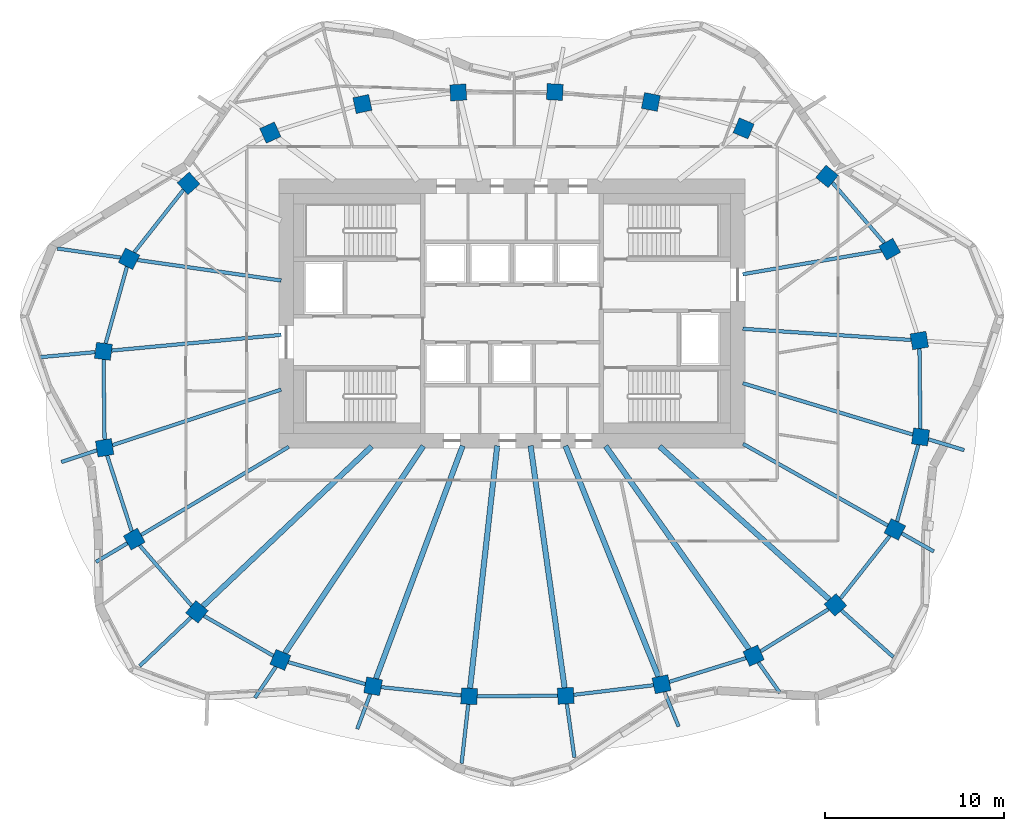
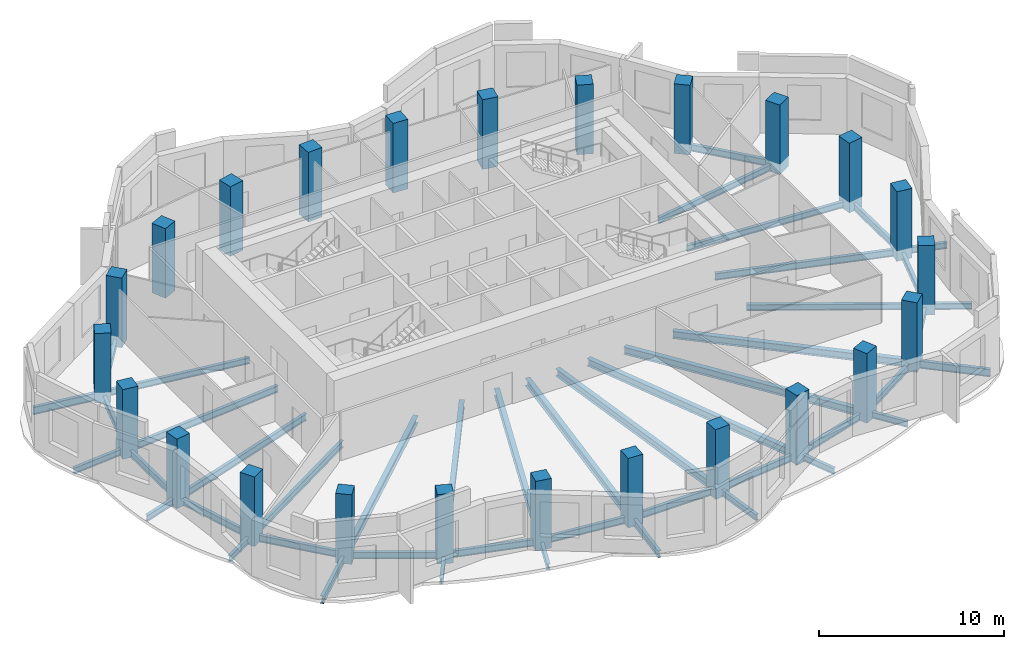
# One storey, part 1 of 9: 46 beams, 24 columns.
"""IFC4 building model written with IfcOpenShell, lengths in metres."""

from ifc_helpers import new_model, si_unit, direction, frame, origin, origin_2d, place, context, subcontext, project, spatial, rectangle, i_section, extrude, material, material_profile, profile_set, type_object, element, save


model = new_model("IFC4")

# Units and contexts
model_context = context("Model", 3, precision=1e-05, world=origin(), true_north=direction((0.0, 1.0)))
body_context = subcontext(model_context, "Body", "Model", "MODEL_VIEW")
ifc_project = project(units=[si_unit("LENGTHUNIT", "METRE"), si_unit("AREAUNIT", "SQUARE_METRE"), si_unit("VOLUMEUNIT", "CUBIC_METRE"), si_unit("PLANEANGLEUNIT", "RADIAN"), si_unit("MASSUNIT", "GRAM", prefix="KILO")], contexts=[model_context])

# Site, building, storey
site_placement = place(None, origin())
site = spatial("IfcSite", under=ifc_project, at=site_placement, CompositionType="ELEMENT")
building_placement = place(site_placement, origin())
building = spatial("IfcBuilding", under=site, at=building_placement, Name="Rubra Terraces Tower", CompositionType="ELEMENT")
storey_placement = place(building_placement, frame((0.0, 0.0, 268.800048828125)))
storey = spatial("IfcBuildingStorey", under=building, at=storey_placement, Name="L66", CompositionType="ELEMENT", Elevation=268.800048828125)

# Columns
ifc_material_1 = material(Name="Concrete C50", Category="concrete")
ifc_material_profile_1 = material_profile(ifc_material_1, rectangle(XDim=0.89990234375, YDim=0.89990234375, at=origin_2d()), Name="RC 900x900")
ifc_profile_set_1 = profile_set([ifc_material_profile_1], Name="Concrete C50")
column_type = type_object("IfcColumnType", Name="RING COLUMN RC 900x900 C50", PredefinedType="COLUMN", material=ifc_profile_set_1)
for number, where, z_axis, x_axis, name in (
    (1, (22.73388671875, 2.992919921875, -0.699951171875), (0.0, 0.0, 1.0), (-0.162062155721, 0.986780551938, 0.0), "column-L66-ring-01"),
    (2, (21.0810546875, 8.090087890625, -0.699951171875), (0.0, 0.0, 1.0), (-0.490161823029, 0.8716314515, 0.0), "column-L66-ring-02"),
    (3, (17.583984375, 12.15087890625, -0.699951171875), (0.0, 0.0, 1.0), (-0.770679191336, 0.637223339216, 0.0), "column-L66-ring-03"),
    (4, (12.927001953125, 14.83203125, -0.699951171875), (0.0, 0.0, 1.0), (-0.92110553102, 0.389312985558, 0.0), "column-L66-ring-04"),
    (5, (7.7509765625, 16.306884765625, -0.699951171875), (0.0, 0.0, 1.0), (-0.981936574306, 0.189210369799, 0.0), "column-L66-ring-05"),
    (6, (2.39208984375, 16.862060546875, -0.699951171875), (0.0, 0.0, 1.0), (-0.998791416829, 0.049149828786, 0.0), "column-L66-ring-06"),
    (7, (-2.9990234375, 16.8359375, -0.699951171875), (0.0, 0.0, 1.0), (-0.998059443319, -0.062268351524, 0.0), "column-L66-ring-07"),
    (8, (-8.346923828125, 16.19189453125, -0.699951171875), (0.0, 0.0, 1.0), (-0.977944102772, -0.208866780156, 0.0), "column-L66-ring-08"),
    (9, (-13.487060546875, 14.595947265625, -0.699951171875), (0.0, 0.0, 1.0), (-0.90972649622, -0.415208022652, 0.0), "column-L66-ring-09"),
    (10, (-18.051025390625, 11.762939453125, -0.699951171875), (0.0, 0.0, 1.0), (-0.7456420961, -0.66634665492, 0.0), "column-L66-ring-10"),
    (11, (-21.366943359375, 7.553955078125, -0.699951171875), (0.0, 0.0, 1.0), (-0.452078869866, -0.891977968013, 0.0), "column-L66-ring-11"),
    (12, (-22.802001953125, 2.388916015625, -0.699951171875), (0.0, 0.0, 1.0), (-0.128535191473, -0.991704948336, 0.0), "column-L66-ring-12"),
    (13, (-22.73388671875, -2.992919921875, -0.699951171875), (0.0, 0.0, 1.0), (0.162062155721, -0.986780551938, 0.0), "column-L66-ring-13"),
    (14, (-21.0810546875, -8.090087890625, -0.699951171875), (0.0, 0.0, 1.0), (0.490161823029, -0.8716314515, 0.0), "column-L66-ring-14"),
    (15, (-17.583984375, -12.15087890625, -0.699951171875), (0.0, 0.0, 1.0), (0.770679191336, -0.637223339216, 0.0), "column-L66-ring-15"),
    (16, (-12.927001953125, -14.83203125, -0.699951171875), (0.0, 0.0, 1.0), (0.92110553102, -0.389312985558, 0.0), "column-L66-ring-16"),
    (17, (-7.7509765625, -16.306884765625, -0.699951171875), (0.0, 0.0, 1.0), (0.981936574306, -0.189210369799, 0.0), "column-L66-ring-17"),
    (18, (-2.39208984375, -16.862060546875, -0.699951171875), (0.0, 0.0, 1.0), (0.998791416829, -0.049149828786, 0.0), "column-L66-ring-18"),
    (19, (2.9990234375, -16.8359375, -0.699951171875), (0.0, 0.0, 1.0), (0.998059443319, 0.062268351524, 0.0), "column-L66-ring-19"),
    (20, (8.346923828125, -16.19189453125, -0.699951171875), (0.0, 0.0, 1.0), (0.977944102772, 0.208866780156, 0.0), "column-L66-ring-20"),
    (21, (13.487060546875, -14.595947265625, -0.699951171875), (0.0, 0.0, 1.0), (0.90972649622, 0.415208022652, 0.0), "column-L66-ring-21"),
    (22, (18.051025390625, -11.762939453125, -0.699951171875), (0.0, 0.0, 1.0), (0.7456420961, 0.66634665492, 0.0), "column-L66-ring-22"),
    (23, (21.366943359375, -7.553955078125, -0.699951171875), (0.0, 0.0, 1.0), (0.452078869866, 0.891977968013, 0.0), "column-L66-ring-23"),
    (24, (22.802001953125, -2.388916015625, -0.699951171875), (0.0, 0.0, 1.0), (0.128535191473, 0.991704948336, 0.0), "column-L66-ring-24"),
):
    element("IfcColumn", number, at=place(storey_placement, frame(where, z_axis=z_axis, x_axis=x_axis)), inside=storey, type_object=column_type, Name=name, PredefinedType="COLUMN", context=body_context, shape_type="SweptSolid", body=[
        extrude(rectangle(XDim=0.89990234375, YDim=0.89990234375, at=origin_2d()), origin(), (0.0, 0.0, 1.0), 4.599853515625),
    ])

# Beams
ifc_material_2 = material(Name="Steel Q355B", Category="steel")
ifc_material_profile_2 = material_profile(ifc_material_2, i_section(OverallWidth=0.199951171875, OverallDepth=0.39990234375, WebThickness=0.008056640625, FlangeThickness=0.012939453125, at=origin_2d()), Name="HN 400x200x8x13")
ifc_profile_set_2 = profile_set([ifc_material_profile_2], Name="Steel Q355B")
beam_type_1 = type_object("IfcBeamType", Name="CANTILEVER BEAM HN 400x200x8x13", PredefinedType="BEAM", material=ifc_profile_set_2)
beam_1_placement = place(storey_placement, frame((-23.260986328125, 2.345947265625, -0.400146484375), z_axis=(-0.995757013505, -0.092021573864, 0.0), x_axis=(0.092021573864, -0.995757013505, 0.0)))
element("IfcBeam", 25, at=beam_1_placement, inside=storey, type_object=beam_type_1, Name="beam-L66-cant-12", PredefinedType="BEAM", context=body_context, shape_type="SweptSolid", body=[
    extrude(i_section(OverallWidth=0.199951171875, OverallDepth=0.39990234375, WebThickness=0.008056640625, FlangeThickness=0.012939453125, at=origin_2d()), origin(), (0.0, 0.0, 1.0), 3.09619140625),
])
beam_2_placement = place(storey_placement, frame((-23.1669921875, -3.135986328125, -0.400146484375), z_axis=(-0.949811542157, -0.312822688411, 0.0), x_axis=(0.312822688411, -0.949811542157, 0.0)))
element("IfcBeam", 26, at=beam_2_placement, inside=storey, type_object=beam_type_1, Name="beam-L66-cant-13", PredefinedType="BEAM", context=body_context, shape_type="SweptSolid", body=[
    extrude(i_section(OverallWidth=0.199951171875, OverallDepth=0.39990234375, WebThickness=0.008056640625, FlangeThickness=0.012939453125, at=origin_2d()), origin(), (0.0, 0.0, 1.0), 2.087646484375),
])
beam_3_placement = place(storey_placement, frame((-21.467041015625, -8.321044921875, -0.400146484375), z_axis=(-0.858590135561, -0.512662636747, 0.0), x_axis=(0.512662636747, -0.858590135561, 0.0)))
element("IfcBeam", 27, at=beam_3_placement, inside=storey, type_object=beam_type_1, Name="beam-L66-cant-14", PredefinedType="BEAM", context=body_context, shape_type="SweptSolid", body=[
    extrude(i_section(OverallWidth=0.199951171875, OverallDepth=0.39990234375, WebThickness=0.008056640625, FlangeThickness=0.012939453125, at=origin_2d()), origin(), (0.0, 0.0, 1.0), 2.038330078125),
])
beam_4_placement = place(storey_placement, frame((-13.181884765625, -15.212890625, -0.400146484375), z_axis=(-0.555615710267, -0.831439223578, 0.0), x_axis=(0.831439223578, -0.555615710267, 0.0)))
element("IfcBeam", 28, at=beam_4_placement, inside=storey, type_object=beam_type_1, Name="beam-L66-cant-16", PredefinedType="BEAM", context=body_context, shape_type="SweptSolid", body=[
    extrude(i_section(OverallWidth=0.199951171875, OverallDepth=0.39990234375, WebThickness=0.008056640625, FlangeThickness=0.012939453125, at=origin_2d()), origin(), (0.0, 0.0, 1.0), 2.091552734375),
])
beam_5_placement = place(storey_placement, frame((-7.909912109375, -16.735107421875, -0.400146484375), z_axis=(-0.349312725353, -0.93700620057, 0.0), x_axis=(0.93700620057, -0.349312725353, 0.0)))
element("IfcBeam", 29, at=beam_5_placement, inside=storey, type_object=beam_type_1, Name="beam-L66-cant-17", PredefinedType="BEAM", context=body_context, shape_type="SweptSolid", body=[
    extrude(i_section(OverallWidth=0.199951171875, OverallDepth=0.39990234375, WebThickness=0.008056640625, FlangeThickness=0.012939453125, at=origin_2d()), origin(), (0.0, 0.0, 1.0), 2.084228515625),
])
beam_6_placement = place(storey_placement, frame((3.06201171875, -17.282958984375, -0.400146484375), z_axis=(0.139077663132, -0.990281476964, 0.0), x_axis=(0.990281476964, 0.139077663132, 0.0)))
element("IfcBeam", 30, at=beam_6_placement, inside=storey, type_object=beam_type_1, Name="beam-L66-cant-19", PredefinedType="BEAM", context=body_context, shape_type="SweptSolid", body=[
    extrude(i_section(OverallWidth=0.199951171875, OverallDepth=0.39990234375, WebThickness=0.008056640625, FlangeThickness=0.012939453125, at=origin_2d()), origin(), (0.0, 0.0, 1.0), 3.019287109375),
])
beam_7_placement = place(storey_placement, frame((8.51806640625, -16.615966796875, -0.400146484375), z_axis=(0.374111105473, -0.927383890717, 0.0), x_axis=(0.927383890717, 0.374111105473, 0.0)))
element("IfcBeam", 31, at=beam_7_placement, inside=storey, type_object=beam_type_1, Name="beam-L66-cant-20", PredefinedType="BEAM", context=body_context, shape_type="SweptSolid", body=[
    extrude(i_section(OverallWidth=0.199951171875, OverallDepth=0.39990234375, WebThickness=0.008056640625, FlangeThickness=0.012939453125, at=origin_2d()), origin(), (0.0, 0.0, 1.0), 2.087646484375),
])
beam_8_placement = place(storey_placement, frame((13.7509765625, -14.969970703125, -0.400146484375), z_axis=(0.576994479227, -0.816748046182, 0.0), x_axis=(0.816748046182, 0.576994479227, 0.0)))
element("IfcBeam", 32, at=beam_8_placement, inside=storey, type_object=beam_type_1, Name="beam-L66-cant-21", PredefinedType="BEAM", context=body_context, shape_type="SweptSolid", body=[
    extrude(i_section(OverallWidth=0.199951171875, OverallDepth=0.39990234375, WebThickness=0.008056640625, FlangeThickness=0.012939453125, at=origin_2d()), origin(), (0.0, 0.0, 1.0), 2.093505859375),
])
beam_9_placement = place(storey_placement, frame((21.759033203125, -7.77490234375, -0.400146484375), z_axis=(0.870909107591, -0.491444123289, 0.0), x_axis=(0.491444123289, 0.870909107591, 0.0)))
element("IfcBeam", 33, at=beam_9_placement, inside=storey, type_object=beam_type_1, Name="beam-L66-cant-23", PredefinedType="BEAM", context=body_context, shape_type="SweptSolid", body=[
    extrude(i_section(OverallWidth=0.199951171875, OverallDepth=0.39990234375, WebThickness=0.008056640625, FlangeThickness=0.012939453125, at=origin_2d()), origin(), (0.0, 0.0, 1.0), 2.047119140625),
])
beam_10_placement = place(storey_placement, frame((23.239013671875, -2.52099609375, -0.400146484375), z_axis=(0.957270239092, -0.289194898552, 0.0), x_axis=(0.289194898552, 0.957270239092, 0.0)))
element("IfcBeam", 34, at=beam_10_placement, inside=storey, type_object=beam_type_1, Name="beam-L66-cant-24", PredefinedType="BEAM", context=body_context, shape_type="SweptSolid", body=[
    extrude(i_section(OverallWidth=0.199951171875, OverallDepth=0.39990234375, WebThickness=0.008056640625, FlangeThickness=0.012939453125, at=origin_2d()), origin(), (0.0, 0.0, 1.0), 2.085205078125),
])
ifc_material_profile_3 = material_profile(ifc_material_2, i_section(OverallWidth=0.198974609375, OverallDepth=0.446044921875, WebThickness=0.008056640625, FlangeThickness=0.011962890625, at=origin_2d()), Name="HN 446x199x8x12")
ifc_profile_set_3 = profile_set([ifc_material_profile_3], Name="Steel Q355B")
beam_type_2 = type_object("IfcBeamType", Name="CANTILEVER BEAM HN 446x199x8x12", PredefinedType="BEAM", material=ifc_profile_set_3)
beam_11_placement = place(storey_placement, frame((-2.44189453125, -17.31005859375, -0.423095703125), z_axis=(-0.111304076447, -0.993786396851, 0.0), x_axis=(0.993786396851, -0.111304076447, 0.0)))
element("IfcBeam", 35, at=beam_11_placement, inside=storey, type_object=beam_type_2, Name="beam-L66-cant-18", PredefinedType="BEAM", context=body_context, shape_type="SweptSolid", body=[
    extrude(i_section(OverallWidth=0.198974609375, OverallDepth=0.446044921875, WebThickness=0.008056640625, FlangeThickness=0.011962890625, at=origin_2d()), origin(), (0.0, 0.0, 1.0), 3.31640625),
])
ifc_material_profile_4 = material_profile(ifc_material_2, i_section(OverallWidth=0.198974609375, OverallDepth=0.49609375, WebThickness=0.009033203125, FlangeThickness=0.013916015625, at=origin_2d()), Name="HN 496x199x9x14")
ifc_profile_set_4 = profile_set([ifc_material_profile_4], Name="Steel Q355B")
beam_type_3 = type_object("IfcBeamType", Name="CANTILEVER BEAM HN 496x199x9x14", PredefinedType="BEAM", material=ifc_profile_set_4)
beam_12_placement = place(storey_placement, frame((-21.8369140625, 7.62109375, -0.447998046875), z_axis=(-0.989944020593, 0.141459662423, 0.0), x_axis=(-0.141459662423, -0.989944020593, 0.0)))
element("IfcBeam", 36, at=beam_12_placement, inside=storey, type_object=beam_type_3, Name="beam-L66-cant-11", PredefinedType="BEAM", context=body_context, shape_type="SweptSolid", body=[
    extrude(i_section(OverallWidth=0.198974609375, OverallDepth=0.49609375, WebThickness=0.009033203125, FlangeThickness=0.013916015625, at=origin_2d()), origin(), (0.0, 0.0, 1.0), 3.569091796875),
])
beam_13_placement = place(storey_placement, frame((-17.9130859375, -12.462890625, -0.447998046875), z_axis=(-0.726067989976, -0.687622915509, 0.0), x_axis=(0.687622915509, -0.726067989976, 0.0)))
element("IfcBeam", 37, at=beam_13_placement, inside=storey, type_object=beam_type_3, Name="beam-L66-cant-15", PredefinedType="BEAM", context=body_context, shape_type="SweptSolid", body=[
    extrude(i_section(OverallWidth=0.198974609375, OverallDepth=0.49609375, WebThickness=0.009033203125, FlangeThickness=0.013916015625, at=origin_2d()), origin(), (0.0, 0.0, 1.0), 3.949951171875),
])
beam_14_placement = place(storey_placement, frame((18.386962890625, -12.06591796875, -0.447998046875), z_axis=(0.743069836047, -0.669213881175, 0.0), x_axis=(0.669213881175, 0.743069836047, 0.0)))
element("IfcBeam", 38, at=beam_14_placement, inside=storey, type_object=beam_type_3, Name="beam-L66-cant-22", PredefinedType="BEAM", context=body_context, shape_type="SweptSolid", body=[
    extrude(i_section(OverallWidth=0.198974609375, OverallDepth=0.49609375, WebThickness=0.009033203125, FlangeThickness=0.013916015625, at=origin_2d()), origin(), (0.0, 0.0, 1.0), 3.8974609375),
])
ifc_material_profile_5 = material_profile(ifc_material_2, i_section(OverallWidth=0.300048828125, OverallDepth=0.48193359375, WebThickness=0.010986328125, FlangeThickness=0.014892578125, at=origin_2d()), Name="HM 482x300x11x15")
ifc_profile_set_5 = profile_set([ifc_material_profile_5], Name="Steel Q355B")
beam_type_4 = type_object("IfcBeamType", Name="FLOOR BEAM HM 482x300x11x15", PredefinedType="BEAM", material=ifc_profile_set_5)
beam_15_placement = place(storey_placement, frame((-17.2548828125, -11.839111328125, -0.441162109375), z_axis=(0.726101482513, 0.687587548674, 0.0), x_axis=(-0.687587548674, 0.726101482513, 0.0)))
element("IfcBeam", 39, at=beam_15_placement, inside=storey, type_object=beam_type_4, Name="beam-L66-floor-15", PredefinedType="BEAM", context=body_context, shape_type="SweptSolid", body=[
    extrude(i_section(OverallWidth=0.300048828125, OverallDepth=0.48193359375, WebThickness=0.010986328125, FlangeThickness=0.014892578125, at=origin_2d()), origin(), (0.0, 0.0, 1.0), 12.97607421875),
])
beam_16_placement = place(storey_placement, frame((-12.672119140625, -14.450927734375, -0.441162109375), z_axis=(0.55586735335, 0.831271006038, 0.0), x_axis=(-0.831271006038, 0.55586735335, 0.0)))
element("IfcBeam", 40, at=beam_16_placement, inside=storey, type_object=beam_type_4, Name="beam-L66-floor-16", PredefinedType="BEAM", context=body_context, shape_type="SweptSolid", body=[
    extrude(i_section(OverallWidth=0.300048828125, OverallDepth=0.48193359375, WebThickness=0.010986328125, FlangeThickness=0.014892578125, at=origin_2d()), origin(), (0.0, 0.0, 1.0), 13.8955078125),
])
beam_17_placement = place(storey_placement, frame((-7.592041015625, -15.87890625, -0.441162109375), z_axis=(0.349129035616, 0.937074658973, 0.0), x_axis=(-0.937074658973, 0.349129035616, 0.0)))
element("IfcBeam", 41, at=beam_17_placement, inside=storey, type_object=beam_type_4, Name="beam-L66-floor-17", PredefinedType="BEAM", context=body_context, shape_type="SweptSolid", body=[
    extrude(i_section(OverallWidth=0.300048828125, OverallDepth=0.48193359375, WebThickness=0.010986328125, FlangeThickness=0.014892578125, at=origin_2d()), origin(), (0.0, 0.0, 1.0), 13.86328125),
])
beam_18_placement = place(storey_placement, frame((-2.342041015625, -16.4140625, -0.441162109375), z_axis=(0.111334672678, 0.993782969596, 0.0), x_axis=(-0.993782969596, 0.111334672678, 0.0)))
element("IfcBeam", 42, at=beam_18_placement, inside=storey, type_object=beam_type_4, Name="beam-L66-floor-18", PredefinedType="BEAM", context=body_context, shape_type="SweptSolid", body=[
    extrude(i_section(OverallWidth=0.300048828125, OverallDepth=0.48193359375, WebThickness=0.010986328125, FlangeThickness=0.014892578125, at=origin_2d()), origin(), (0.0, 0.0, 1.0), 13.61767578125),
])
beam_19_placement = place(storey_placement, frame((2.93603515625, -16.388916015625, -0.441162109375), z_axis=(-0.139140748081, 0.990272615103, 0.0), x_axis=(-0.990272615103, -0.139140748081, 0.0)))
element("IfcBeam", 43, at=beam_19_placement, inside=storey, type_object=beam_type_4, Name="beam-L66-floor-19", PredefinedType="BEAM", context=body_context, shape_type="SweptSolid", body=[
    extrude(i_section(OverallWidth=0.300048828125, OverallDepth=0.48193359375, WebThickness=0.010986328125, FlangeThickness=0.014892578125, at=origin_2d()), origin(), (0.0, 0.0, 1.0), 13.640380859375),
])
beam_20_placement = place(storey_placement, frame((8.176025390625, -15.76806640625, -0.441162109375), z_axis=(-0.374083693877, 0.927394948215, 0.0), x_axis=(-0.927394948215, -0.374083693877, 0.0)))
element("IfcBeam", 44, at=beam_20_placement, inside=storey, type_object=beam_type_4, Name="beam-L66-floor-20", PredefinedType="BEAM", context=body_context, shape_type="SweptSolid", body=[
    extrude(i_section(OverallWidth=0.300048828125, OverallDepth=0.48193359375, WebThickness=0.010986328125, FlangeThickness=0.014892578125, at=origin_2d()), origin(), (0.0, 0.0, 1.0), 13.887451171875),
])
beam_21_placement = place(storey_placement, frame((13.222900390625, -14.221923828125, -0.441162109375), z_axis=(-0.576895514811, 0.816817950948, 0.0), x_axis=(-0.816817950948, -0.576895514811, 0.0)))
element("IfcBeam", 45, at=beam_21_placement, inside=storey, type_object=beam_type_4, Name="beam-L66-floor-21", PredefinedType="BEAM", context=body_context, shape_type="SweptSolid", body=[
    extrude(i_section(OverallWidth=0.300048828125, OverallDepth=0.48193359375, WebThickness=0.010986328125, FlangeThickness=0.014892578125, at=origin_2d()), origin(), (0.0, 0.0, 1.0), 13.8583984375),
])
beam_22_placement = place(storey_placement, frame((17.715087890625, -11.4599609375, -0.441162109375), z_axis=(-0.742980094736, 0.669313513105, 0.0), x_axis=(-0.669313513105, -0.742980094736, 0.0)))
element("IfcBeam", 46, at=beam_22_placement, inside=storey, type_object=beam_type_4, Name="beam-L66-floor-22", PredefinedType="BEAM", context=body_context, shape_type="SweptSolid", body=[
    extrude(i_section(OverallWidth=0.300048828125, OverallDepth=0.48193359375, WebThickness=0.010986328125, FlangeThickness=0.014892578125, at=origin_2d()), origin(), (0.0, 0.0, 1.0), 12.759521484375),
])
ifc_material_profile_6 = material_profile(ifc_material_2, i_section(OverallWidth=0.199951171875, OverallDepth=0.39990234375, WebThickness=0.008056640625, FlangeThickness=0.012939453125, at=origin_2d()), Name="HN 400x200x8x13")
ifc_profile_set_6 = profile_set([ifc_material_profile_6], Name="Steel Q355B")
beam_type_5 = type_object("IfcBeamType", Name="FLOOR BEAM HN 400x200x8x13", PredefinedType="BEAM", material=ifc_profile_set_6)
beam_23_placement = place(storey_placement, frame((22.27294921875, 3.02392578125, -0.400146484375), z_axis=(-0.997814209988, 0.066081785285, 0.0), x_axis=(-0.066081785285, -0.997814209988, 0.0)))
element("IfcBeam", 47, at=beam_23_placement, inside=storey, type_object=beam_type_5, Name="beam-L66-floor-01", PredefinedType="BEAM", context=body_context, shape_type="SweptSolid", body=[
    extrude(i_section(OverallWidth=0.199951171875, OverallDepth=0.39990234375, WebThickness=0.008056640625, FlangeThickness=0.012939453125, at=origin_2d()), origin(), (0.0, 0.0, 1.0), 9.41357421875),
])
beam_24_placement = place(storey_placement, frame((20.610107421875, 8.010009765625, -0.400146484375), z_axis=(-0.985810425856, -0.167862456415, 0.0), x_axis=(0.167862456415, -0.985810425856, 0.0)))
element("IfcBeam", 48, at=beam_24_placement, inside=storey, type_object=beam_type_5, Name="beam-L66-floor-02", PredefinedType="BEAM", context=body_context, shape_type="SweptSolid", body=[
    extrude(i_section(OverallWidth=0.199951171875, OverallDepth=0.39990234375, WebThickness=0.008056640625, FlangeThickness=0.012939453125, at=origin_2d()), origin(), (0.0, 0.0, 1.0), 7.83935546875),
])
beam_25_placement = place(storey_placement, frame((-20.89697265625, 7.487060546875, -0.400146484375), z_axis=(0.98993441274, -0.141526882509, 0.0), x_axis=(0.141526882509, 0.98993441274, 0.0)))
element("IfcBeam", 49, at=beam_25_placement, inside=storey, type_object=beam_type_5, Name="beam-L66-floor-11", PredefinedType="BEAM", context=body_context, shape_type="SweptSolid", body=[
    extrude(i_section(OverallWidth=0.199951171875, OverallDepth=0.39990234375, WebThickness=0.008056640625, FlangeThickness=0.012939453125, at=origin_2d()), origin(), (0.0, 0.0, 1.0), 8.097412109375),
])
beam_26_placement = place(storey_placement, frame((20.97509765625, -7.3330078125, -0.400146484375), z_axis=(-0.870973270007, 0.491330400986, 0.0), x_axis=(-0.491330400986, -0.870973270007, 0.0)))
element("IfcBeam", 50, at=beam_26_placement, inside=storey, type_object=beam_type_5, Name="beam-L66-floor-23", PredefinedType="BEAM", context=body_context, shape_type="SweptSolid", body=[
    extrude(i_section(OverallWidth=0.199951171875, OverallDepth=0.39990234375, WebThickness=0.008056640625, FlangeThickness=0.012939453125, at=origin_2d()), origin(), (0.0, 0.0, 1.0), 9.277099609375),
])
ifc_material_profile_7 = material_profile(ifc_material_2, i_section(OverallWidth=0.198974609375, OverallDepth=0.446044921875, WebThickness=0.008056640625, FlangeThickness=0.011962890625, at=origin_2d()), Name="HN 446x199x8x12")
ifc_profile_set_7 = profile_set([ifc_material_profile_7], Name="Steel Q355B")
beam_type_6 = type_object("IfcBeamType", Name="FLOOR BEAM HN 446x199x8x12", PredefinedType="BEAM", material=ifc_profile_set_7)
beam_27_placement = place(storey_placement, frame((-22.343017578125, 2.431884765625, -0.423095703125), z_axis=(0.995739538303, 0.092210475874, 0.0), x_axis=(-0.092210475874, 0.995739538303, 0.0)))
element("IfcBeam", 51, at=beam_27_placement, inside=storey, type_object=beam_type_6, Name="beam-L66-floor-12", PredefinedType="BEAM", context=body_context, shape_type="SweptSolid", body=[
    extrude(i_section(OverallWidth=0.198974609375, OverallDepth=0.446044921875, WebThickness=0.008056640625, FlangeThickness=0.011962890625, at=origin_2d()), origin(), (0.0, 0.0, 1.0), 9.50244140625),
])
beam_28_placement = place(storey_placement, frame((-22.301025390625, -2.85009765625, -0.423095703125), z_axis=(0.949746725795, 0.313019419273, 0.0), x_axis=(-0.313019419273, 0.949746725795, 0.0)))
element("IfcBeam", 52, at=beam_28_placement, inside=storey, type_object=beam_type_6, Name="beam-L66-floor-13", PredefinedType="BEAM", context=body_context, shape_type="SweptSolid", body=[
    extrude(i_section(OverallWidth=0.198974609375, OverallDepth=0.446044921875, WebThickness=0.008056640625, FlangeThickness=0.011962890625, at=origin_2d()), origin(), (0.0, 0.0, 1.0), 9.913330078125),
])
beam_29_placement = place(storey_placement, frame((-20.695068359375, -7.85888671875, -0.423095703125), z_axis=(0.858552756119, 0.512725233396, 0.0), x_axis=(-0.512725233396, 0.858552756119, 0.0)))
element("IfcBeam", 53, at=beam_29_placement, inside=storey, type_object=beam_type_6, Name="beam-L66-floor-14", PredefinedType="BEAM", context=body_context, shape_type="SweptSolid", body=[
    extrude(i_section(OverallWidth=0.198974609375, OverallDepth=0.446044921875, WebThickness=0.008056640625, FlangeThickness=0.011962890625, at=origin_2d()), origin(), (0.0, 0.0, 1.0), 9.59765625),
])
beam_30_placement = place(storey_placement, frame((22.364990234375, -2.257080078125, -0.423095703125), z_axis=(-0.957268105474, 0.289201960992, 0.0), x_axis=(-0.289201960992, -0.957268105474, 0.0)))
element("IfcBeam", 54, at=beam_30_placement, inside=storey, type_object=beam_type_6, Name="beam-L66-floor-24", PredefinedType="BEAM", context=body_context, shape_type="SweptSolid", body=[
    extrude(i_section(OverallWidth=0.198974609375, OverallDepth=0.446044921875, WebThickness=0.008056640625, FlangeThickness=0.011962890625, at=origin_2d()), origin(), (0.0, 0.0, 1.0), 9.903076171875),
])
ifc_material_profile_8 = material_profile(ifc_material_2, i_section(OverallWidth=0.198974609375, OverallDepth=0.446044921875, WebThickness=0.008056640625, FlangeThickness=0.011962890625, at=origin_2d()), Name="HN 446x199x8x12")
ifc_profile_set_8 = profile_set([ifc_material_profile_8], Name="Steel Q355B")
beam_type_7 = type_object("IfcBeamType", Name="SPANDREL BEAM HN 446x199x8x12", PredefinedType="SPANDREL", material=ifc_profile_set_8)
beam_31_placement = place(storey_placement, frame((20.781005859375, 8.43798828125, -0.423095703125), z_axis=(-0.652473175209, 0.757811820726, 0.0), x_axis=(-0.757811820726, -0.652473175209, 0.0)))
element("IfcBeam", 55, at=beam_31_placement, inside=storey, type_object=beam_type_7, Name="beam-L66-spandrel-02", PredefinedType="SPANDREL", context=body_context, shape_type="SweptSolid", body=[
    extrude(i_section(OverallWidth=0.198974609375, OverallDepth=0.446044921875, WebThickness=0.008056640625, FlangeThickness=0.011962890625, at=origin_2d()), origin(), (0.0, 0.0, 1.0), 4.44287109375),
])
beam_32_placement = place(storey_placement, frame((-18.333984375, 11.404052734375, -0.423095703125), z_axis=(-0.61888661349, -0.785480336891, 0.0), x_axis=(0.785480336891, -0.61888661349, 0.0)))
element("IfcBeam", 56, at=beam_32_placement, inside=storey, type_object=beam_type_7, Name="beam-L66-spandrel-10", PredefinedType="SPANDREL", context=body_context, shape_type="SweptSolid", body=[
    extrude(i_section(OverallWidth=0.198974609375, OverallDepth=0.446044921875, WebThickness=0.008056640625, FlangeThickness=0.011962890625, at=origin_2d()), origin(), (0.0, 0.0, 1.0), 4.44189453125),
])
beam_33_placement = place(storey_placement, frame((-21.489990234375, 7.112060546875, -0.423095703125), z_axis=(-0.267564585696, -0.963539927809, 0.0), x_axis=(0.963539927809, -0.267564585696, 0.0)))
element("IfcBeam", 57, at=beam_33_placement, inside=storey, type_object=beam_type_7, Name="beam-L66-spandrel-11", PredefinedType="SPANDREL", context=body_context, shape_type="SweptSolid", body=[
    extrude(i_section(OverallWidth=0.198974609375, OverallDepth=0.446044921875, WebThickness=0.008056640625, FlangeThickness=0.011962890625, at=origin_2d()), origin(), (0.0, 0.0, 1.0), 4.447265625),
])
beam_34_placement = place(storey_placement, frame((-22.7958984375, 1.93408203125, -0.423095703125), z_axis=(0.01250038801, -0.999921867097, 0.0), x_axis=(0.999921867097, 0.01250038801, 0.0)))
element("IfcBeam", 58, at=beam_34_placement, inside=storey, type_object=beam_type_7, Name="beam-L66-spandrel-12", PredefinedType="SPANDREL", context=body_context, shape_type="SweptSolid", body=[
    extrude(i_section(OverallWidth=0.198974609375, OverallDepth=0.446044921875, WebThickness=0.008056640625, FlangeThickness=0.011962890625, at=origin_2d()), origin(), (0.0, 0.0, 1.0), 4.472412109375),
])
beam_35_placement = place(storey_placement, frame((-22.593994140625, -3.426025390625, -0.423095703125), z_axis=(0.308536942246, -0.951212360764, 0.0), x_axis=(0.951212360764, 0.308536942246, 0.0)))
element("IfcBeam", 59, at=beam_35_placement, inside=storey, type_object=beam_type_7, Name="beam-L66-spandrel-13", PredefinedType="SPANDREL", context=body_context, shape_type="SweptSolid", body=[
    extrude(i_section(OverallWidth=0.198974609375, OverallDepth=0.446044921875, WebThickness=0.008056640625, FlangeThickness=0.011962890625, at=origin_2d()), origin(), (0.0, 0.0, 1.0), 4.44384765625),
])
beam_36_placement = place(storey_placement, frame((-20.781005859375, -8.43798828125, -0.423095703125), z_axis=(0.652473175209, -0.757811820726, 0.0), x_axis=(0.757811820726, 0.652473175209, 0.0)))
element("IfcBeam", 60, at=beam_36_placement, inside=storey, type_object=beam_type_7, Name="beam-L66-spandrel-14", PredefinedType="SPANDREL", context=body_context, shape_type="SweptSolid", body=[
    extrude(i_section(OverallWidth=0.198974609375, OverallDepth=0.446044921875, WebThickness=0.008056640625, FlangeThickness=0.011962890625, at=origin_2d()), origin(), (0.0, 0.0, 1.0), 4.44287109375),
])
beam_37_placement = place(storey_placement, frame((-17.18798828125, -12.37890625, -0.423095703125), z_axis=(0.866616005945, -0.498975648945, 0.0), x_axis=(0.498975648945, 0.866616005945, 0.0)))
element("IfcBeam", 61, at=beam_37_placement, inside=storey, type_object=beam_type_7, Name="beam-L66-spandrel-15", PredefinedType="SPANDREL", context=body_context, shape_type="SweptSolid", body=[
    extrude(i_section(OverallWidth=0.198974609375, OverallDepth=0.446044921875, WebThickness=0.008056640625, FlangeThickness=0.011962890625, at=origin_2d()), origin(), (0.0, 0.0, 1.0), 4.463134765625),
])
beam_38_placement = place(storey_placement, frame((-12.490966796875, -14.9560546875, -0.423095703125), z_axis=(0.961713024643, -0.27405849418, 0.0), x_axis=(0.27405849418, 0.961713024643, 0.0)))
element("IfcBeam", 62, at=beam_38_placement, inside=storey, type_object=beam_type_7, Name="beam-L66-spandrel-16", PredefinedType="SPANDREL", context=body_context, shape_type="SweptSolid", body=[
    extrude(i_section(OverallWidth=0.198974609375, OverallDepth=0.446044921875, WebThickness=0.008056640625, FlangeThickness=0.011962890625, at=origin_2d()), origin(), (0.0, 0.0, 1.0), 4.477294921875),
])
beam_39_placement = place(storey_placement, frame((-7.302001953125, -16.35400390625, -0.423095703125), z_axis=(0.994684107425, -0.102973425873, 0.0), x_axis=(0.102973425873, 0.994684107425, 0.0)))
element("IfcBeam", 63, at=beam_39_placement, inside=storey, type_object=beam_type_7, Name="beam-L66-spandrel-17", PredefinedType="SPANDREL", context=body_context, shape_type="SweptSolid", body=[
    extrude(i_section(OverallWidth=0.198974609375, OverallDepth=0.446044921875, WebThickness=0.008056640625, FlangeThickness=0.011962890625, at=origin_2d()), origin(), (0.0, 0.0, 1.0), 4.48583984375),
])
beam_40_placement = place(storey_placement, frame((-1.94091796875, -16.860107421875, -0.423095703125), z_axis=(0.999987753188, 0.004949088244, 0.0), x_axis=(-0.004949088244, 0.999987753188, 0.0)))
element("IfcBeam", 64, at=beam_40_placement, inside=storey, type_object=beam_type_7, Name="beam-L66-spandrel-18", PredefinedType="SPANDREL", context=body_context, shape_type="SweptSolid", body=[
    extrude(i_section(OverallWidth=0.198974609375, OverallDepth=0.446044921875, WebThickness=0.008056640625, FlangeThickness=0.011962890625, at=origin_2d()), origin(), (0.0, 0.0, 1.0), 4.489013671875),
])
beam_41_placement = place(storey_placement, frame((3.447021484375, -16.781982421875, -0.423095703125), z_axis=(0.992829862118, 0.119536040116, 0.0), x_axis=(-0.119536040116, 0.992829862118, 0.0)))
element("IfcBeam", 65, at=beam_41_placement, inside=storey, type_object=beam_type_7, Name="beam-L66-spandrel-19", PredefinedType="SPANDREL", context=body_context, shape_type="SweptSolid", body=[
    extrude(i_section(OverallWidth=0.198974609375, OverallDepth=0.446044921875, WebThickness=0.008056640625, FlangeThickness=0.011962890625, at=origin_2d()), origin(), (0.0, 0.0, 1.0), 4.483154296875),
])
beam_42_placement = place(storey_placement, frame((8.779052734375, -16.05810546875, -0.423095703125), z_axis=(0.955035382264, 0.296491852541, 0.0), x_axis=(-0.296491852541, 0.955035382264, 0.0)))
element("IfcBeam", 66, at=beam_42_placement, inside=storey, type_object=beam_type_7, Name="beam-L66-spandrel-20", PredefinedType="SPANDREL", context=body_context, shape_type="SweptSolid", body=[
    extrude(i_section(OverallWidth=0.198974609375, OverallDepth=0.446044921875, WebThickness=0.008056640625, FlangeThickness=0.011962890625, at=origin_2d()), origin(), (0.0, 0.0, 1.0), 4.47607421875),
])
beam_43_placement = place(storey_placement, frame((13.8720703125, -14.35693359375, -0.423095703125), z_axis=(0.849641857012, 0.527360137679, 0.0), x_axis=(-0.527360137679, 0.849641857012, 0.0)))
element("IfcBeam", 67, at=beam_43_placement, inside=storey, type_object=beam_type_7, Name="beam-L66-spandrel-21", PredefinedType="SPANDREL", context=body_context, shape_type="SweptSolid", body=[
    extrude(i_section(OverallWidth=0.198974609375, OverallDepth=0.446044921875, WebThickness=0.008056640625, FlangeThickness=0.011962890625, at=origin_2d()), origin(), (0.0, 0.0, 1.0), 4.4619140625),
])
beam_44_placement = place(storey_placement, frame((18.333984375, -11.404052734375, -0.423095703125), z_axis=(0.61888661349, 0.785480336891, 0.0), x_axis=(-0.785480336891, 0.61888661349, 0.0)))
element("IfcBeam", 68, at=beam_44_placement, inside=storey, type_object=beam_type_7, Name="beam-L66-spandrel-22", PredefinedType="SPANDREL", context=body_context, shape_type="SweptSolid", body=[
    extrude(i_section(OverallWidth=0.198974609375, OverallDepth=0.446044921875, WebThickness=0.008056640625, FlangeThickness=0.011962890625, at=origin_2d()), origin(), (0.0, 0.0, 1.0), 4.44189453125),
])
beam_45_placement = place(storey_placement, frame((21.489990234375, -7.112060546875, -0.423095703125), z_axis=(0.267564585696, 0.963539927809, 0.0), x_axis=(-0.963539927809, 0.267564585696, 0.0)))
element("IfcBeam", 69, at=beam_45_placement, inside=storey, type_object=beam_type_7, Name="beam-L66-spandrel-23", PredefinedType="SPANDREL", context=body_context, shape_type="SweptSolid", body=[
    extrude(i_section(OverallWidth=0.198974609375, OverallDepth=0.446044921875, WebThickness=0.008056640625, FlangeThickness=0.011962890625, at=origin_2d()), origin(), (0.0, 0.0, 1.0), 4.447265625),
])
beam_46_placement = place(storey_placement, frame((22.7958984375, -1.93408203125, -0.423095703125), z_axis=(-0.01250038801, 0.999921867097, 0.0), x_axis=(-0.999921867097, -0.01250038801, 0.0)))
element("IfcBeam", 70, at=beam_46_placement, inside=storey, type_object=beam_type_7, Name="beam-L66-spandrel-24", PredefinedType="SPANDREL", context=body_context, shape_type="SweptSolid", body=[
    extrude(i_section(OverallWidth=0.198974609375, OverallDepth=0.446044921875, WebThickness=0.008056640625, FlangeThickness=0.011962890625, at=origin_2d()), origin(), (0.0, 0.0, 1.0), 4.472412109375),
])

save(model, "model.ifc")
